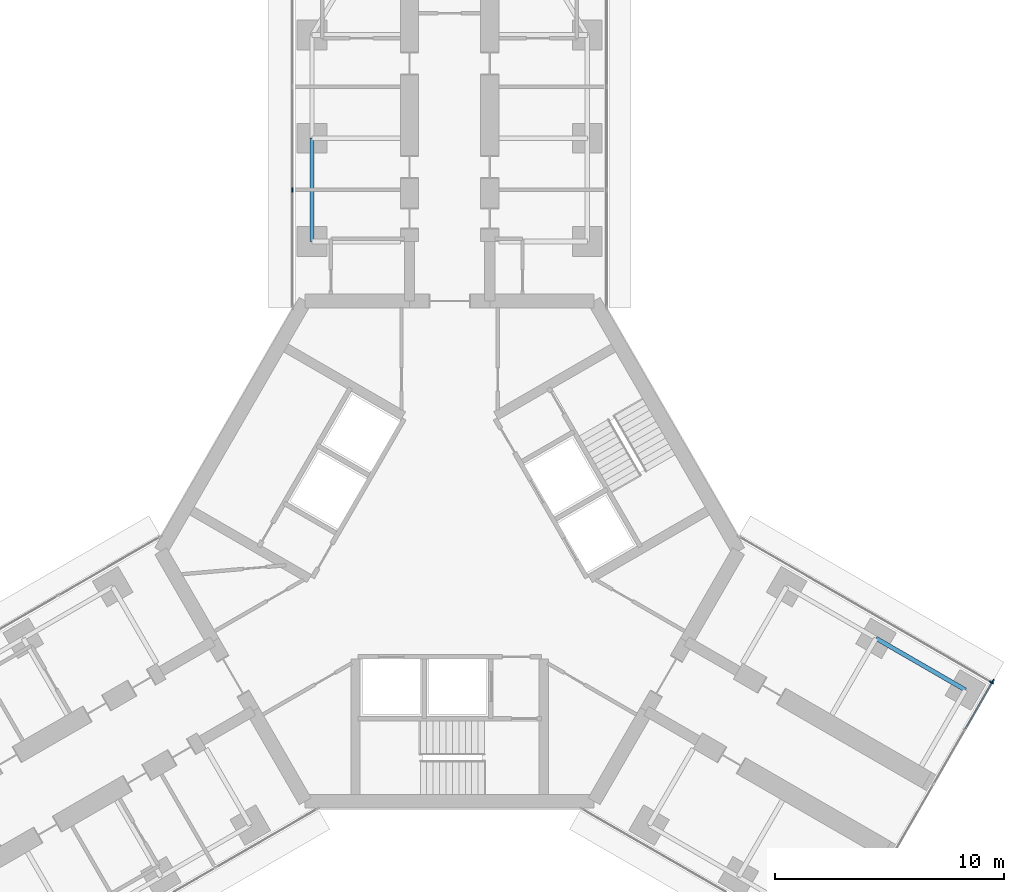
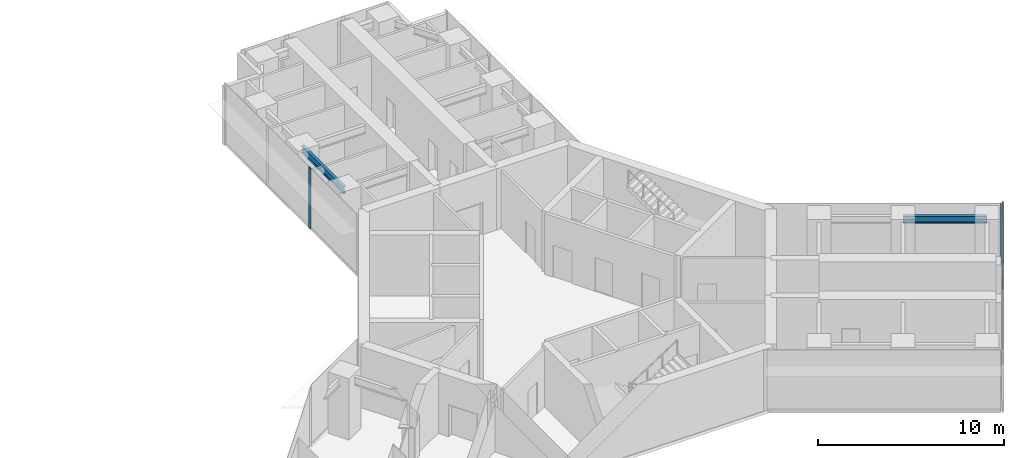
# One storey, part 11 of 22: 4 members, 2 beams, 3 elements without a shape of their own.
"""IFC4 building model written with IfcOpenShell, lengths in metres."""

from ifc_helpers import new_model, si_unit, direction, frame, origin, origin_2d, place, context, subcontext, project, spatial, rectangle, i_section, extrude, material, material_profile, profile_set, type_object, element, aggregate, save


model = new_model("IFC4")

# Units and contexts
model_context = context("Model", 3, precision=1e-05, world=origin(), true_north=direction((0.0, 1.0)))
body_context = subcontext(model_context, "Body", "Model", "MODEL_VIEW")
ifc_project = project(units=[si_unit("LENGTHUNIT", "METRE"), si_unit("AREAUNIT", "SQUARE_METRE"), si_unit("VOLUMEUNIT", "CUBIC_METRE"), si_unit("PLANEANGLEUNIT", "RADIAN"), si_unit("MASSUNIT", "GRAM", prefix="KILO")], contexts=[model_context])

# Site, building, storey
site_placement = place(None, origin())
site = spatial("IfcSite", under=ifc_project, at=site_placement, CompositionType="ELEMENT")
building_placement = place(site_placement, origin())
building = spatial("IfcBuilding", under=site, at=building_placement, Name="Upepo Twin Towers", CompositionType="ELEMENT")
storey_placement = place(building_placement, frame((0.0, 0.0, 137.5)))
storey = spatial("IfcBuildingStorey", under=building, at=storey_placement, Name="L33", CompositionType="ELEMENT", Elevation=137.5)

# Beams
ifc_material_1 = material(Name="Steel S355", Category="steel")
ifc_material_profile_1 = material_profile(ifc_material_1, i_section(OverallWidth=0.1904296875, OverallDepth=0.45703125, WebThickness=0.009033203125, FlangeThickness=0.014404296875, FilletRadius=0.01025390625, at=origin_2d()), Name="UB 457x191x74")
ifc_profile_set_1 = profile_set([ifc_material_profile_1], Name="Steel S355")
beam_type = type_object("IfcBeamType", Name="Beam UB 457x191x74", PredefinedType="BEAM", material=ifc_profile_set_1)
for number, where, z_axis, x_axis, name in (
    (1, (52.5, -4.5, 3.571533203125), (0.0, 1.0, 0.0), (-1.0, 0.0, 0.0), "T2 edge beam AL 13.5-18.0"),
    (2, (77.08837890625, -21.803955078125, 3.571533203125), (0.866031096941, -0.499990139034, 0.0), (0.499990139034, 0.866031096941, 0.0), "T2 edge beam CL 18.0-22.5"),
):
    element("IfcBeam", number, at=place(storey_placement, frame(where, z_axis=z_axis, x_axis=x_axis)), inside=storey, type_object=beam_type, Name=name, PredefinedType="BEAM", context=body_context, shape_type="SweptSolid", body=[
        extrude(i_section(OverallWidth=0.1904296875, OverallDepth=0.45703125, WebThickness=0.009033203125, FlangeThickness=0.014404296875, FilletRadius=0.01025390625, at=origin_2d()), origin(), (0.0, 0.0, 1.0), 4.5),
    ])

# Curtain wall, member
ifc_material_2 = material(Name="Aluminium and fritted glass", Category="aluminium")
curtain_wall_type = type_object("IfcCurtainWallType", Name="Tower curtain wall TW2, fritted glass", PredefinedType="NOTDEFINED", material=ifc_material_2)
curtain_wall_1_placement = place(storey_placement, origin())
curtain_wall_1 = element("IfcCurtainWall", 3, at=curtain_wall_1_placement, inside=storey, type_object=curtain_wall_type, Name="T2 L33 wing A flank L curtain wall", PredefinedType="NOTDEFINED")
ifc_material_3 = material(Name="Aluminium mullion", Category="aluminium")
ifc_material_profile_2 = material_profile(ifc_material_3, rectangle(XDim=0.06494140625, YDim=0.199951171875, at=origin_2d()), Name="MULLION 65x200")
ifc_profile_set_2 = profile_set([ifc_material_profile_2], Name="Aluminium mullion")
member_type_1 = type_object("IfcMemberType", Name="Mullion 65x200 TW2", PredefinedType="MULLION", material=ifc_profile_set_2)
member_1_placement = place(storey_placement, frame((51.64990234375, -2.25, 0.0), z_axis=(0.0, 0.0, 1.0), x_axis=(-1.0, 0.0, 0.0)))
member_1 = element("IfcMember", 4, at=member_1_placement, type_object=member_type_1, Name="T2 L33 wing A flank L curtain wall mullion 2", PredefinedType="MULLION", context=body_context, shape_type="SweptSolid", body=[
    extrude(rectangle(XDim=0.06494140625, YDim=0.199951171875, at=origin_2d()), origin(), (0.0, 0.0, 1.0), 4.0),
])
aggregate(curtain_wall_1, [member_1])

curtain_wall_2_placement = place(storey_placement, origin())
curtain_wall_2 = element("IfcCurtainWall", 5, at=curtain_wall_2_placement, inside=storey, type_object=curtain_wall_type, Name="T2 L33 wing C flank L curtain wall", PredefinedType="NOTDEFINED")
member_2_placement = place(storey_placement, frame((82.11865234375, -23.7265625, 0.0), z_axis=(0.0, 0.0, 1.0), x_axis=(0.50000000792, 0.866025399212, 0.0)))
member_2 = element("IfcMember", 6, at=member_2_placement, type_object=member_type_1, Name="T2 L33 wing C flank L curtain wall mullion 2", PredefinedType="MULLION", context=body_context, shape_type="SweptSolid", body=[
    extrude(rectangle(XDim=0.06494140625, YDim=0.199951171875, at=origin_2d()), origin(), (0.0, 0.0, 1.0), 4.0),
])
aggregate(curtain_wall_2, [member_2])

# Curtain wall, members
curtain_wall_3_placement = place(storey_placement, origin())
curtain_wall_3 = element("IfcCurtainWall", 7, at=curtain_wall_3_placement, inside=storey, type_object=curtain_wall_type, Name="T2 L33 wing C nose curtain wall", PredefinedType="NOTDEFINED")
member_3_placement = place(storey_placement, frame((82.180419921875, -23.684326171875, 0.0), z_axis=(0.0, 0.0, 1.0), x_axis=(-0.866025419745, 0.499999972355, 0.0)))
member_3 = element("IfcMember", 8, at=member_3_placement, type_object=member_type_1, Name="T2 L33 wing C nose curtain wall mullion 6", PredefinedType="MULLION", context=body_context, shape_type="SweptSolid", body=[
    extrude(rectangle(XDim=0.06494140625, YDim=0.199951171875, at=origin_2d()), origin(), (0.0, 0.0, 1.0), 4.0),
])
ifc_material_4 = material(Name="Aluminium transom", Category="aluminium")
ifc_material_profile_3 = material_profile(ifc_material_4, rectangle(XDim=0.06494140625, YDim=0.14990234375, at=origin_2d()), Name="TRANSOM 65x150")
ifc_profile_set_3 = profile_set([ifc_material_profile_3], Name="Aluminium transom")
member_type_2 = type_object("IfcMemberType", Name="Transom 65x150 TW2", PredefinedType="USERDEFINED", material=ifc_profile_set_3)
member_4_placement = place(storey_placement, frame((80.988037109375, -25.749755859375, 0.074951171875), z_axis=(0.50000093428, 0.866024864377, 0.0), x_axis=(-0.866024864377, 0.50000093428, 0.0)))
member_4 = element("IfcMember", 9, at=member_4_placement, type_object=member_type_2, Name="T2 L33 wing C nose curtain wall transom 5", ObjectType="TRANSOM", PredefinedType="USERDEFINED", context=body_context, shape_type="SweptSolid", body=[
    extrude(rectangle(XDim=0.06494140625, YDim=0.14990234375, at=origin_2d()), origin(), (0.0, 0.0, 1.0), 2.3525390625),
])
aggregate(curtain_wall_3, [member_3, member_4])

save(model, "model.ifc")
